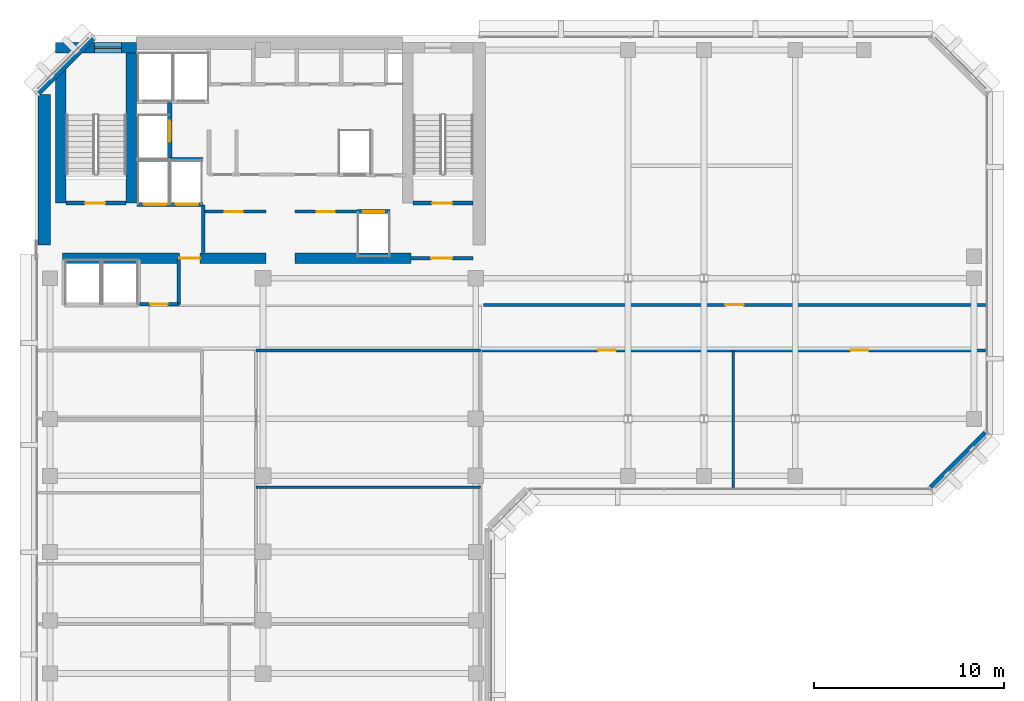
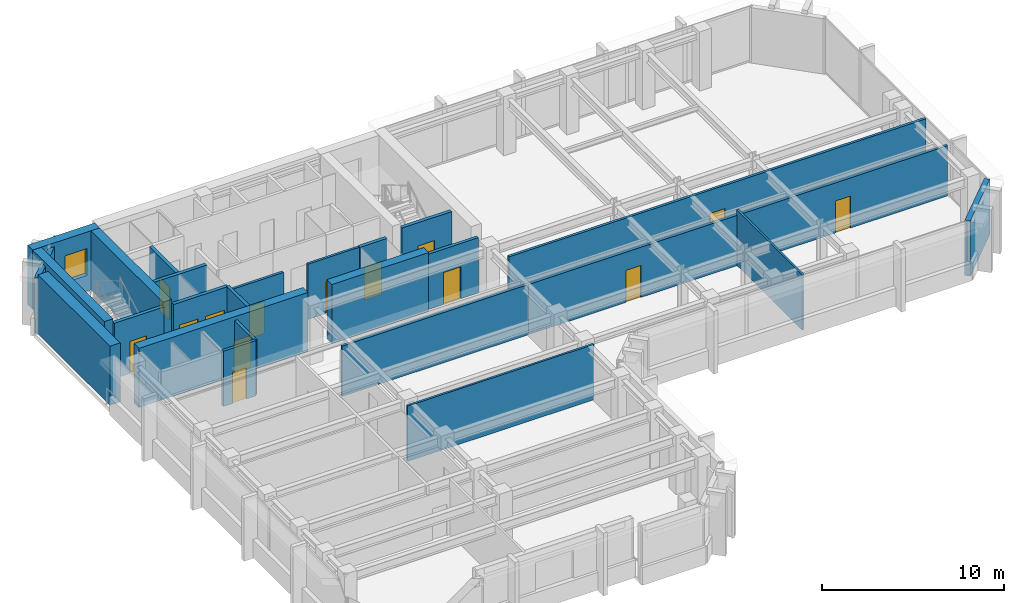
# One storey, part 7 of 12: 25 walls, 14 doors, 1 window, 15 openings.
"""IFC4 building model written with IfcOpenShell, lengths in metres."""

from ifc_helpers import new_model, si_unit, direction, frame, frame_2d, origin, place, context, subcontext, project, spatial, rectangle, extrude, material, layer, layer_set, type_object, element, fill, save


model = new_model("IFC4")

# Units and contexts
model_context = context("Model", 3, precision=1e-05, world=origin(), true_north=direction((0.0, 1.0)))
body_context = subcontext(model_context, "Body", "Model", "MODEL_VIEW")
ifc_project = project(units=[si_unit("LENGTHUNIT", "METRE"), si_unit("AREAUNIT", "SQUARE_METRE"), si_unit("VOLUMEUNIT", "CUBIC_METRE"), si_unit("PLANEANGLEUNIT", "RADIAN"), si_unit("MASSUNIT", "GRAM", prefix="KILO")], contexts=[model_context])

# Site, building, storey
site_placement = place(None, origin())
site = spatial("IfcSite", under=ifc_project, at=site_placement, CompositionType="ELEMENT")
building_placement = place(site_placement, origin())
building = spatial("IfcBuilding", under=site, at=building_placement, Name="Kefirva Bronze Tower", CompositionType="ELEMENT")
storey_placement = place(building_placement, frame((0.0, 0.0, 264.330078125)))
storey = spatial("IfcBuildingStorey", under=building, at=storey_placement, Name="L64", CompositionType="ELEMENT", Elevation=264.330078125)

# Walls
ifc_material_1 = material(Name="Gypsum acoustic partition")
ifc_layer_1 = layer(ifc_material_1, 0.1298828125, Name="Gypsum acoustic partition")
ifc_layer_set_1 = layer_set([ifc_layer_1], Name="Gypsum acoustic partition")
wall_type_1 = type_object("IfcWallType", Name="Acoustic Office Partition 130mm", PredefinedType="PARTITIONING", material=ifc_layer_set_1)
wall_1_placement = place(storey_placement, frame((11.639892578125, 22.199951171875, 0.0), z_axis=(0.0, 0.0, 1.0), x_axis=(1.0, 0.0, 0.0)))
element("IfcWall", 1, at=wall_1_placement, inside=storey, type_object=wall_type_1, Name="L64 Partition W-L64-SED1", PredefinedType="PARTITIONING", context=body_context, shape_type="SweptSolid", body=[
    extrude(rectangle(XDim=11.81005859375, YDim=0.1298828125, at=frame_2d((5.905029296875, 0.0))), origin(), (0.0, 0.0, 1.0), 3.7099609375),
])
wall_2_placement = place(storey_placement, frame((36.72998046875, 22.18994140625, 0.0), z_axis=(0.0, 0.0, 1.0), x_axis=(0.0, 1.0, 0.0)))
element("IfcWall", 2, at=wall_2_placement, inside=storey, type_object=wall_type_1, Name="L64 Partition W-L64-ESD1", PredefinedType="PARTITIONING", context=body_context, shape_type="SweptSolid", body=[
    extrude(rectangle(XDim=7.2099609375, YDim=0.1298828125, at=frame_2d((3.60498046875, 0.0))), origin(), (0.0, 0.0, 1.0), 3.7099609375),
])

# Wall, opening, door
ifc_layer_2 = layer(ifc_material_1, 0.14990234375, Name="Gypsum acoustic partition")
ifc_layer_set_2 = layer_set([ifc_layer_2], Name="Gypsum acoustic partition")
wall_type_2 = type_object("IfcWallType", Name="Executive Suite Partition 150mm", PredefinedType="PARTITIONING", material=ifc_layer_set_2)
wall_3_placement = place(storey_placement, frame((13.679931640625, 36.699951171875, 0.0), z_axis=(0.0, 0.0, 1.0), x_axis=(1.0, 0.0, 0.0)))
wall_3 = element("IfcWall", 3, at=wall_3_placement, inside=storey, type_object=wall_type_2, Name="L64 Partition W-L64-RECMP1", PredefinedType="PARTITIONING", context=body_context, shape_type="SweptSolid", body=[
    extrude(rectangle(XDim=3.280029296875, YDim=0.14990234375, at=frame_2d((1.64013671875, 0.0))), origin(), (0.0, 0.0, 1.0), 3.7099609375),
])
opening_1_placement = place(wall_3_placement, frame((1.14990234375, 0.0, 0.0)))
opening_1 = element("IfcOpeningElement", 4, at=opening_1_placement, cuts=wall_3, Name="Opening L64-D-RECMP1", PredefinedType="OPENING", context=body_context, shape_type="SweptSolid", body=[
    extrude(rectangle(XDim=0.949951171875, YDim=2.14990234375, at=frame_2d((0.47509765625, 1.074951171875))), frame((0.0, 0.0849609375, 0.0), z_axis=(0.0, -1.0, 0.0), x_axis=(1.0, 0.0, 0.0)), (0.0, 0.0, 1.0), 0.169921875),
])
ifc_material_2 = material(Name="Acoustic hardwood oak", Category="wood")
door_type_1 = type_object("IfcDoorType", Name="Office & Meeting Room Door 950x2150", OperationType="NOTDEFINED", PredefinedType="DOOR", material=ifc_material_2)
door_1_placement = place(opening_1_placement, origin())
door_1 = element("IfcDoor", 5, at=door_1_placement, inside=storey, type_object=door_type_1, Name="Door L64-D-RECMP1", OperationType="SINGLE_SWING_LEFT", OverallHeight=2.14990234375, OverallWidth=0.949951171875, PredefinedType="DOOR", context=body_context, shape_type="SweptSolid", body=[
    extrude(rectangle(XDim=0.949951171875, YDim=2.14990234375, at=frame_2d((0.47509765625, 1.074951171875))), frame((0.0, 0.02490234375, 0.0), z_axis=(0.0, -1.0, 0.0), x_axis=(1.0, 0.0, 0.0)), (0.0, 0.0, 1.0), 0.050048828125),
])
fill(opening_1, door_1)

ifc_material_3 = material(Name="Gypsum fireboard shaftwall")
ifc_layer_3 = layer(ifc_material_3, 0.219970703125, Name="Gypsum fireboard shaftwall")
ifc_layer_set_3 = layer_set([ifc_layer_3], Name="Gypsum fireboard shaftwall")
wall_type_3 = type_object("IfcWallType", Name="Fire-Rated Shaft Enclosure Wall 220mm", PredefinedType="PARTITIONING", material=ifc_layer_set_3)
wall_4_placement = place(storey_placement, frame((1.64990234375, 37.14990234375, 0.0), z_axis=(0.0, 0.0, 1.0), x_axis=(1.0, 0.0, 0.0)))
wall_4 = element("IfcWall", 6, at=wall_4_placement, inside=storey, type_object=wall_type_3, Name="L64 Partition W-L64-ST1S", PredefinedType="PARTITIONING", context=body_context, shape_type="SweptSolid", body=[
    extrude(rectangle(XDim=3.150146484375, YDim=0.219970703125, at=frame_2d((1.5751953125, 0.0))), origin(), (0.0, 0.0, 1.0), 3.7099609375),
])
opening_2_placement = place(wall_4_placement, frame((2.050048828125, 0.0, 0.0), z_axis=(0.0, 0.0, 1.0), x_axis=(-1.0, 0.0, 0.0)))
opening_2 = element("IfcOpeningElement", 7, at=opening_2_placement, cuts=wall_4, Name="Opening L64-D001", PredefinedType="OPENING", context=body_context, shape_type="SweptSolid", body=[
    extrude(rectangle(XDim=1.050048828125, YDim=2.14990234375, at=frame_2d((0.52490234375, 1.074951171875))), frame((0.0, 0.1201171875, 0.0), z_axis=(0.0, -1.0, 0.0), x_axis=(1.0, 0.0, 0.0)), (0.0, 0.0, 1.0), 0.239990234375),
])
ifc_material_4 = material(Name="Painted galvanized steel", Category="steel")
door_type_2 = type_object("IfcDoorType", Name="Fire Stair Enclosure Door 1050x2150 FD90S", OperationType="NOTDEFINED", PredefinedType="DOOR", material=ifc_material_4)
door_2_placement = place(opening_2_placement, origin())
door_2 = element("IfcDoor", 8, at=door_2_placement, inside=storey, type_object=door_type_2, Name="Door L64-D001", OperationType="SINGLE_SWING_RIGHT", OverallHeight=2.14990234375, OverallWidth=1.050048828125, PredefinedType="DOOR", context=body_context, shape_type="SweptSolid", body=[
    extrude(rectangle(XDim=1.050048828125, YDim=2.14990234375, at=frame_2d((0.52490234375, 1.074951171875))), frame((0.0, 0.02490234375, 0.0), z_axis=(0.0, -1.0, 0.0), x_axis=(1.0, 0.0, 0.0)), (0.0, 0.0, 1.0), 0.050048828125),
])
fill(opening_2, door_2)

wall_5_placement = place(storey_placement, frame((19.89990234375, 37.14990234375, 0.0), z_axis=(0.0, 0.0, 1.0), x_axis=(1.0, 0.0, 0.0)))
wall_5 = element("IfcWall", 9, at=wall_5_placement, inside=storey, type_object=wall_type_3, Name="L64 Partition W-L64-ST2S", PredefinedType="PARTITIONING", context=body_context, shape_type="SweptSolid", body=[
    extrude(rectangle(XDim=3.150146484375, YDim=0.219970703125, at=frame_2d((1.5751953125, 0.0))), origin(), (0.0, 0.0, 1.0), 3.7099609375),
])
opening_3_placement = place(wall_5_placement, frame((2.050048828125, 0.0, 0.0), z_axis=(0.0, 0.0, 1.0), x_axis=(-1.0, 0.0, 0.0)))
opening_3 = element("IfcOpeningElement", 10, at=opening_3_placement, cuts=wall_5, Name="Opening L64-D003", PredefinedType="OPENING", context=body_context, shape_type="SweptSolid", body=[
    extrude(rectangle(XDim=1.050048828125, YDim=2.14990234375, at=frame_2d((0.52490234375, 1.074951171875))), frame((0.0, 0.1201171875, 0.0), z_axis=(0.0, -1.0, 0.0), x_axis=(1.0, 0.0, 0.0)), (0.0, 0.0, 1.0), 0.239990234375),
])
door_3_placement = place(opening_3_placement, origin())
door_3 = element("IfcDoor", 11, at=door_3_placement, inside=storey, type_object=door_type_2, Name="Door L64-D003", OperationType="SINGLE_SWING_RIGHT", OverallHeight=2.14990234375, OverallWidth=1.050048828125, PredefinedType="DOOR", context=body_context, shape_type="SweptSolid", body=[
    extrude(rectangle(XDim=1.050048828125, YDim=2.14990234375, at=frame_2d((0.52490234375, 1.074951171875))), frame((0.0, 0.02490234375, 0.0), z_axis=(0.0, -1.0, 0.0), x_axis=(1.0, 0.0, 0.0)), (0.0, 0.0, 1.0), 0.050048828125),
])
fill(opening_3, door_3)

# Wall, openings, doors
wall_6_placement = place(storey_placement, frame((5.3798828125, 37.080078125, 0.0), z_axis=(0.0, 0.0, 1.0), x_axis=(1.0, 0.0, 0.0)))
wall_6 = element("IfcWall", 12, at=wall_6_placement, inside=storey, type_object=wall_type_3, Name="L64 Partition W-L64-FFS", PredefinedType="PARTITIONING", context=body_context, shape_type="SweptSolid", body=[
    extrude(rectangle(XDim=3.460205078125, YDim=0.219970703125, at=frame_2d((1.72998046875, 0.0))), origin(), (0.0, 0.0, 1.0), 3.7099609375),
])
opening_4_placement = place(wall_6_placement, frame((1.550048828125, 0.0, 0.0), z_axis=(0.0, 0.0, 1.0), x_axis=(-1.0, 0.0, 0.0)))
opening_4 = element("IfcOpeningElement", 13, at=opening_4_placement, cuts=wall_6, Name="Opening L64-LD-FF1", PredefinedType="OPENING", context=body_context, shape_type="SweptSolid", body=[
    extrude(rectangle(XDim=1.199951171875, YDim=2.199951171875, at=frame_2d((0.60009765625, 1.10009765625))), frame((0.0, 0.1201171875, 0.0), z_axis=(0.0, -1.0, 0.0), x_axis=(1.0, 0.0, 0.0)), (0.0, 0.0, 1.0), 0.239990234375),
])
opening_5_placement = place(wall_6_placement, frame((3.219970703125, 0.0, 0.0), z_axis=(0.0, 0.0, 1.0), x_axis=(-1.0, 0.0, 0.0)))
opening_5 = element("IfcOpeningElement", 14, at=opening_5_placement, cuts=wall_6, Name="Opening L64-LD-FF2", PredefinedType="OPENING", context=body_context, shape_type="SweptSolid", body=[
    extrude(rectangle(XDim=1.199951171875, YDim=2.199951171875, at=frame_2d((0.60009765625, 1.10009765625))), frame((0.0, 0.1201171875, 0.0), z_axis=(0.0, -1.0, 0.0), x_axis=(1.0, 0.0, 0.0)), (0.0, 0.0, 1.0), 0.239990234375),
])
ifc_material_5 = material(Name="Stainless steel 316", Category="steel")
door_type_3 = type_object("IfcDoorType", Name="Firefighting Lift Sliding Door 1200x2200", OperationType="SLIDING_TO_RIGHT", PredefinedType="DOOR", material=ifc_material_5)
door_4_placement = place(opening_4_placement, origin())
door_4 = element("IfcDoor", 15, at=door_4_placement, inside=storey, type_object=door_type_3, Name="Door L64-LD-FF1", OperationType="SLIDING_TO_RIGHT", OverallHeight=2.199951171875, OverallWidth=1.199951171875, PredefinedType="DOOR", context=body_context, shape_type="SweptSolid", body=[
    extrude(rectangle(XDim=1.199951171875, YDim=2.199951171875, at=frame_2d((0.60009765625, 1.10009765625))), frame((0.0, 0.02490234375, 0.0), z_axis=(0.0, -1.0, 0.0), x_axis=(1.0, 0.0, 0.0)), (0.0, 0.0, 1.0), 0.050048828125),
])
fill(opening_4, door_4)
door_5_placement = place(opening_5_placement, origin())
door_5 = element("IfcDoor", 16, at=door_5_placement, inside=storey, type_object=door_type_3, Name="Door L64-LD-FF2", OperationType="SLIDING_TO_RIGHT", OverallHeight=2.199951171875, OverallWidth=1.199951171875, PredefinedType="DOOR", context=body_context, shape_type="SweptSolid", body=[
    extrude(rectangle(XDim=1.199951171875, YDim=2.199951171875, at=frame_2d((0.60009765625, 1.10009765625))), frame((0.0, 0.02490234375, 0.0), z_axis=(0.0, -1.0, 0.0), x_axis=(1.0, 0.0, 0.0)), (0.0, 0.0, 1.0), 0.050048828125),
])
fill(opening_5, door_5)

# Wall
wall_7_placement = place(storey_placement, frame((5.3798828125, 39.449951171875, 0.0), z_axis=(0.0, 0.0, 1.0), x_axis=(1.0, 0.0, 0.0)))
element("IfcWall", 17, at=wall_7_placement, inside=storey, type_object=wall_type_3, Name="L64 Partition W-L64-FFN", PredefinedType="PARTITIONING", context=body_context, shape_type="SweptSolid", body=[
    extrude(rectangle(XDim=3.460205078125, YDim=0.219970703125, at=frame_2d((1.72998046875, 0.0))), origin(), (0.0, 0.0, 1.0), 3.7099609375),
])

# Wall, opening, door
wall_8_placement = place(storey_placement, frame((7.10009765625, 39.52001953125, 0.0), z_axis=(0.0, 0.0, 1.0), x_axis=(0.0, 1.0, 0.0)))
wall_8 = element("IfcWall", 18, at=wall_8_placement, inside=storey, type_object=wall_type_3, Name="L64 Partition W-L64-HP3E", PredefinedType="PARTITIONING", context=body_context, shape_type="SweptSolid", body=[
    extrude(rectangle(XDim=2.929931640625, YDim=0.219970703125, at=frame_2d((1.46484375, 0.0))), origin(), (0.0, 0.0, 1.0), 3.7099609375),
])
opening_6_placement = place(wall_8_placement, frame((0.85009765625, 0.0, 0.0)))
opening_6 = element("IfcOpeningElement", 19, at=opening_6_placement, cuts=wall_8, Name="Opening L64-LD-HP3", PredefinedType="OPENING", context=body_context, shape_type="SweptSolid", body=[
    extrude(rectangle(XDim=1.10009765625, YDim=2.199951171875, at=frame_2d((0.550048828125, 1.10009765625))), frame((0.0, 0.1201171875, 0.0), z_axis=(0.0, -1.0, 0.0), x_axis=(1.0, 0.0, 0.0)), (0.0, 0.0, 1.0), 0.239990234375),
])
door_type_4 = type_object("IfcDoorType", Name="Passenger Lift Sliding Landing Door 1100x2200", OperationType="SLIDING_TO_LEFT", PredefinedType="DOOR", material=ifc_material_5)
door_6_placement = place(opening_6_placement, origin())
door_6 = element("IfcDoor", 20, at=door_6_placement, inside=storey, type_object=door_type_4, Name="Door L64-LD-HP3", OperationType="SLIDING_TO_LEFT", OverallHeight=2.199951171875, OverallWidth=1.10009765625, PredefinedType="DOOR", context=body_context, shape_type="SweptSolid", body=[
    extrude(rectangle(XDim=1.10009765625, YDim=2.199951171875, at=frame_2d((0.550048828125, 1.10009765625))), frame((0.0, 0.02490234375, 0.0), z_axis=(0.0, -1.0, 0.0), x_axis=(1.0, 0.0, 0.0)), (0.0, 0.0, 1.0), 0.050048828125),
])
fill(opening_6, door_6)

wall_9_placement = place(storey_placement, frame((16.97998046875, 36.699951171875, 0.0), z_axis=(0.0, 0.0, 1.0), x_axis=(1.0, 0.0, 0.0)))
wall_9 = element("IfcWall", 21, at=wall_9_placement, inside=storey, type_object=wall_type_3, Name="L64 Partition W-L64-HPS", PredefinedType="PARTITIONING", context=body_context, shape_type="SweptSolid", body=[
    extrude(rectangle(XDim=1.699951171875, YDim=0.219970703125, at=frame_2d((0.85009765625, 0.0))), origin(), (0.0, 0.0, 1.0), 3.7099609375),
])
opening_7_placement = place(wall_9_placement, frame((0.300048828125, 0.0, 0.0)))
opening_7 = element("IfcOpeningElement", 22, at=opening_7_placement, cuts=wall_9, Name="Opening L64-LD-HP1", PredefinedType="OPENING", context=body_context, shape_type="SweptSolid", body=[
    extrude(rectangle(XDim=1.10009765625, YDim=2.199951171875, at=frame_2d((0.550048828125, 1.10009765625))), frame((0.0, 0.1201171875, 0.0), z_axis=(0.0, -1.0, 0.0), x_axis=(1.0, 0.0, 0.0)), (0.0, 0.0, 1.0), 0.239990234375),
])
door_7_placement = place(opening_7_placement, origin())
door_7 = element("IfcDoor", 23, at=door_7_placement, inside=storey, type_object=door_type_4, Name="Door L64-LD-HP1", OperationType="SLIDING_TO_LEFT", OverallHeight=2.199951171875, OverallWidth=1.10009765625, PredefinedType="DOOR", context=body_context, shape_type="SweptSolid", body=[
    extrude(rectangle(XDim=1.10009765625, YDim=2.199951171875, at=frame_2d((0.550048828125, 1.10009765625))), frame((0.0, 0.02490234375, 0.0), z_axis=(0.0, -1.0, 0.0), x_axis=(1.0, 0.0, 0.0)), (0.0, 0.0, 1.0), 0.050048828125),
])
fill(opening_7, door_7)

# Wall
ifc_material_6 = material(Name="Gypsum fireboard barrier")
ifc_layer_4 = layer(ifc_material_6, 0.199951171875, Name="Gypsum fireboard barrier")
ifc_layer_set_4 = layer_set([ifc_layer_4], Name="Gypsum fireboard barrier")
wall_type_4 = type_object("IfcWallType", Name="Firefighting Lobby Barrier Wall 200mm", PredefinedType="PARTITIONING", material=ifc_layer_set_4)
wall_10_placement = place(storey_placement, frame((8.860107421875, 34.550048828125, 0.0), z_axis=(0.0, 0.0, 1.0), x_axis=(0.0, 1.0, 0.0)))
element("IfcWall", 24, at=wall_10_placement, inside=storey, type_object=wall_type_4, Name="L64 Partition W-L64-FFLE", PredefinedType="PARTITIONING", context=body_context, shape_type="SweptSolid", body=[
    extrude(rectangle(XDim=2.5, YDim=0.199951171875, at=frame_2d((1.25, 0.0))), origin(), (0.0, 0.0, 1.0), 3.7099609375),
])

# Wall, opening, door
wall_11_placement = place(storey_placement, frame((19.800048828125, 34.25, 0.0), z_axis=(0.0, 0.0, 1.0), x_axis=(1.0, 0.0, 0.0)))
wall_11 = element("IfcWall", 25, at=wall_11_placement, inside=storey, type_object=wall_type_4, Name="L64 Partition W-L64-ST2F", PredefinedType="PARTITIONING", context=body_context, shape_type="SweptSolid", body=[
    extrude(rectangle(XDim=3.25, YDim=0.199951171875, at=frame_2d((1.625, 0.0))), origin(), (0.0, 0.0, 1.0), 3.7099609375),
])
opening_8_placement = place(wall_11_placement, frame((2.150146484375, 0.0, 0.0), z_axis=(0.0, 0.0, 1.0), x_axis=(-1.0, 0.0, 0.0)))
opening_8 = element("IfcOpeningElement", 26, at=opening_8_placement, cuts=wall_11, Name="Opening L64-D004", PredefinedType="OPENING", context=body_context, shape_type="SweptSolid", body=[
    extrude(rectangle(XDim=1.10009765625, YDim=2.14990234375, at=frame_2d((0.550048828125, 1.074951171875))), frame((0.0, 0.10986328125, 0.0), z_axis=(0.0, -1.0, 0.0), x_axis=(1.0, 0.0, 0.0)), (0.0, 0.0, 1.0), 0.219970703125),
])
door_type_5 = type_object("IfcDoorType", Name="Firefighting Lobby Smoke Door 1100x2150 FD60S", OperationType="NOTDEFINED", PredefinedType="DOOR", material=ifc_material_4)
door_8_placement = place(opening_8_placement, origin())
door_8 = element("IfcDoor", 27, at=door_8_placement, inside=storey, type_object=door_type_5, Name="Door L64-D004", OperationType="SINGLE_SWING_LEFT", OverallHeight=2.14990234375, OverallWidth=1.10009765625, PredefinedType="DOOR", context=body_context, shape_type="SweptSolid", body=[
    extrude(rectangle(XDim=1.10009765625, YDim=2.14990234375, at=frame_2d((0.550048828125, 1.074951171875))), frame((0.0, 0.02490234375, 0.0), z_axis=(0.0, -1.0, 0.0), x_axis=(1.0, 0.0, 0.0)), (0.0, 0.0, 1.0), 0.050048828125),
])
fill(opening_8, door_8)

# Walls
ifc_material_7 = material(Name="Precast concrete C40/50", Category="concrete")
ifc_layer_5 = layer(ifc_material_7, 0.320068359375, Name="Precast concrete C40/50")
ifc_layer_set_5 = layer_set([ifc_layer_5], Name="Precast concrete C40/50")
wall_type_5 = type_object("IfcWallType", Name="Precast Insulated Exterior Wall 320mm", PredefinedType="SOLIDWALL", material=ifc_layer_set_5)
for number, where, z_axis, x_axis, name in (
    (28, (47.125732421875, 22.152099609375, 0.0), (0.0, 0.0, 1.0), (0.707136318428, 0.707077242712, 0.0), "L64 Exterior Facade Wall 7"),
    (29, (3.07421875, 45.847900390625, 0.0), (0.0, 0.0, 1.0), (-0.707106781187, -0.707106781187, 0.0), "L64 Exterior Facade Wall 9"),
):
    element("IfcWall", number, at=place(storey_placement, frame(where, z_axis=z_axis, x_axis=x_axis)), inside=storey, type_object=wall_type_5, Name=name, PredefinedType="SOLIDWALL", context=body_context, shape_type="SweptSolid", body=[
        extrude(rectangle(XDim=4.132568359375, YDim=0.320068359375, at=frame_2d((2.06640625, 0.0))), origin(), (0.0, 0.0, 1.0), 3.7099609375),
    ])

# Wall, opening, door
ifc_layer_6 = layer(ifc_material_1, 0.159912109375, Name="Gypsum acoustic partition")
ifc_layer_set_6 = layer_set([ifc_layer_6], Name="Gypsum acoustic partition")
wall_type_6 = type_object("IfcWallType", Name="Protected Corridor Partition 160mm", PredefinedType="PARTITIONING", material=ifc_layer_set_6)
wall_12_placement = place(storey_placement, frame((8.89990234375, 36.699951171875, 0.0), z_axis=(0.0, 0.0, 1.0), x_axis=(1.0, 0.0, 0.0)))
wall_12 = element("IfcWall", 30, at=wall_12_placement, inside=storey, type_object=wall_type_6, Name="L64 Partition W-L64-RECLP1", PredefinedType="PARTITIONING", context=body_context, shape_type="SweptSolid", body=[
    extrude(rectangle(XDim=3.25, YDim=0.159912109375, at=frame_2d((1.625, 0.0))), origin(), (0.0, 0.0, 1.0), 3.7099609375),
])
opening_9_placement = place(wall_12_placement, frame((1.10009765625, 0.0, 0.0)))
opening_9 = element("IfcOpeningElement", 31, at=opening_9_placement, cuts=wall_12, Name="Opening L64-D-RECLP1", PredefinedType="OPENING", context=body_context, shape_type="SweptSolid", body=[
    extrude(rectangle(XDim=0.949951171875, YDim=2.14990234375, at=frame_2d((0.47509765625, 1.074951171875))), frame((0.0, 0.08984375, 0.0), z_axis=(0.0, -1.0, 0.0), x_axis=(1.0, 0.0, 0.0)), (0.0, 0.0, 1.0), 0.179931640625),
])
door_9_placement = place(opening_9_placement, origin())
door_9 = element("IfcDoor", 32, at=door_9_placement, inside=storey, type_object=door_type_1, Name="Door L64-D-RECLP1", OperationType="SINGLE_SWING_RIGHT", OverallHeight=2.14990234375, OverallWidth=0.949951171875, PredefinedType="DOOR", context=body_context, shape_type="SweptSolid", body=[
    extrude(rectangle(XDim=0.949951171875, YDim=2.14990234375, at=frame_2d((0.47509765625, 1.074951171875))), frame((0.0, 0.02490234375, 0.0), z_axis=(0.0, -1.0, 0.0), x_axis=(1.0, 0.0, 0.0)), (0.0, 0.0, 1.0), 0.050048828125),
])
fill(opening_9, door_9)

# Wall
wall_13_placement = place(storey_placement, frame((11.639892578125, 29.39990234375, 0.0), z_axis=(0.0, 0.0, 1.0), x_axis=(1.0, 0.0, 0.0)))
element("IfcWall", 33, at=wall_13_placement, inside=storey, type_object=wall_type_6, Name="L64 Partition W-L64-NET", PredefinedType="PARTITIONING", context=body_context, shape_type="SweptSolid", body=[
    extrude(rectangle(XDim=11.81005859375, YDim=0.159912109375, at=frame_2d((5.905029296875, 0.0))), origin(), (0.0, 0.0, 1.0), 3.364990234375),
])

# Wall, openings, doors
wall_14_placement = place(storey_placement, frame((23.449951171875, 29.39990234375, 0.0), z_axis=(0.0, 0.0, 1.0), x_axis=(1.0, 0.0, 0.0)))
wall_14 = element("IfcWall", 34, at=wall_14_placement, inside=storey, type_object=wall_type_6, Name="L64 Partition W-L64-EWS", PredefinedType="PARTITIONING", context=body_context, shape_type="SweptSolid", body=[
    extrude(rectangle(XDim=26.56005859375, YDim=0.159912109375, at=frame_2d((13.280029296875, 0.0))), origin(), (0.0, 0.0, 1.0), 3.364990234375),
])
opening_10_placement = place(wall_14_placement, frame((7.114990234375, 0.0, 0.0), z_axis=(0.0, 0.0, 1.0), x_axis=(-1.0, 0.0, 0.0)))
opening_10 = element("IfcOpeningElement", 35, at=opening_10_placement, cuts=wall_14, Name="Opening L64-D-ES1", PredefinedType="OPENING", context=body_context, shape_type="SweptSolid", body=[
    extrude(rectangle(XDim=0.949951171875, YDim=2.14990234375, at=frame_2d((0.47509765625, 1.074951171875))), frame((0.0, 0.08984375, 0.0), z_axis=(0.0, -1.0, 0.0), x_axis=(1.0, 0.0, 0.0)), (0.0, 0.0, 1.0), 0.179931640625),
])
opening_11_placement = place(wall_14_placement, frame((20.39501953125, 0.0, 0.0), z_axis=(0.0, 0.0, 1.0), x_axis=(-1.0, 0.0, 0.0)))
opening_11 = element("IfcOpeningElement", 36, at=opening_11_placement, cuts=wall_14, Name="Opening L64-D-ES2", PredefinedType="OPENING", context=body_context, shape_type="SweptSolid", body=[
    extrude(rectangle(XDim=0.949951171875, YDim=2.14990234375, at=frame_2d((0.47509765625, 1.074951171875))), frame((0.0, 0.08984375, 0.0), z_axis=(0.0, -1.0, 0.0), x_axis=(1.0, 0.0, 0.0)), (0.0, 0.0, 1.0), 0.179931640625),
])
door_10_placement = place(opening_10_placement, origin())
door_10 = element("IfcDoor", 37, at=door_10_placement, inside=storey, type_object=door_type_1, Name="Door L64-D-ES1", OperationType="SINGLE_SWING_LEFT", OverallHeight=2.14990234375, OverallWidth=0.949951171875, PredefinedType="DOOR", context=body_context, shape_type="SweptSolid", body=[
    extrude(rectangle(XDim=0.949951171875, YDim=2.14990234375, at=frame_2d((0.47509765625, 1.074951171875))), frame((0.0, 0.02490234375, 0.0), z_axis=(0.0, -1.0, 0.0), x_axis=(1.0, 0.0, 0.0)), (0.0, 0.0, 1.0), 0.050048828125),
])
fill(opening_10, door_10)
door_11_placement = place(opening_11_placement, origin())
door_11 = element("IfcDoor", 38, at=door_11_placement, inside=storey, type_object=door_type_1, Name="Door L64-D-ES2", OperationType="SINGLE_SWING_RIGHT", OverallHeight=2.14990234375, OverallWidth=0.949951171875, PredefinedType="DOOR", context=body_context, shape_type="SweptSolid", body=[
    extrude(rectangle(XDim=0.949951171875, YDim=2.14990234375, at=frame_2d((0.47509765625, 1.074951171875))), frame((0.0, 0.02490234375, 0.0), z_axis=(0.0, -1.0, 0.0), x_axis=(1.0, 0.0, 0.0)), (0.0, 0.0, 1.0), 0.050048828125),
])
fill(opening_11, door_11)

# Wall, opening, door
wall_15_placement = place(storey_placement, frame((23.60009765625, 31.800048828125, 0.0), z_axis=(0.0, 0.0, 1.0), x_axis=(1.0, 0.0, 0.0)))
wall_15 = element("IfcWall", 39, at=wall_15_placement, inside=storey, type_object=wall_type_6, Name="L64 Partition W-L64-EWN", PredefinedType="PARTITIONING", context=body_context, shape_type="SweptSolid", body=[
    extrude(rectangle(XDim=26.409912109375, YDim=0.159912109375, at=frame_2d((13.205078125, 0.0))), origin(), (0.0, 0.0, 1.0), 3.7099609375),
])
opening_12_placement = place(wall_15_placement, frame((12.72998046875, 0.0, 0.0)))
opening_12 = element("IfcOpeningElement", 40, at=opening_12_placement, cuts=wall_15, Name="Opening L64-D-EN1", PredefinedType="OPENING", context=body_context, shape_type="SweptSolid", body=[
    extrude(rectangle(XDim=0.949951171875, YDim=2.14990234375, at=frame_2d((0.47509765625, 1.074951171875))), frame((0.0, 0.08984375, 0.0), z_axis=(0.0, -1.0, 0.0), x_axis=(1.0, 0.0, 0.0)), (0.0, 0.0, 1.0), 0.179931640625),
])
door_12_placement = place(opening_12_placement, origin())
door_12 = element("IfcDoor", 41, at=door_12_placement, inside=storey, type_object=door_type_1, Name="Door L64-D-EN1", OperationType="SINGLE_SWING_LEFT", OverallHeight=2.14990234375, OverallWidth=0.949951171875, PredefinedType="DOOR", context=body_context, shape_type="SweptSolid", body=[
    extrude(rectangle(XDim=0.949951171875, YDim=2.14990234375, at=frame_2d((0.47509765625, 1.074951171875))), frame((0.0, 0.02490234375, 0.0), z_axis=(0.0, -1.0, 0.0), x_axis=(1.0, 0.0, 0.0)), (0.0, 0.0, 1.0), 0.050048828125),
])
fill(opening_12, door_12)

# Wall, opening, window
ifc_material_8 = material(Name="Concrete C50/60", Category="concrete")
ifc_layer_7 = layer(ifc_material_8, 0.550048828125, Name="Concrete C50/60")
ifc_layer_set_7 = layer_set([ifc_layer_7], Name="Concrete C50/60")
wall_type_7 = type_object("IfcWallType", Name="RC Rear Core Exterior Wall 550mm", PredefinedType="SHEAR", material=ifc_layer_set_7)
wall_16_placement = place(storey_placement, frame((1.10009765625, 45.320068359375, 0.0), z_axis=(0.0, 0.0, 1.0), x_axis=(1.0, 0.0, 0.0)))
wall_16 = element("IfcWall", 42, at=wall_16_placement, inside=storey, type_object=wall_type_7, Name="L64 Stair 1 North Shear Wall", PredefinedType="SHEAR", context=body_context, shape_type="SweptSolid", body=[
    extrude(rectangle(XDim=4.239990234375, YDim=0.550048828125, at=frame_2d((2.1201171875, 0.0))), origin(), (0.0, 0.0, 1.0), 3.9599609375),
])
opening_13_placement = place(wall_16_placement, frame((2.050048828125, 0.0, 1.050048828125)))
opening_13 = element("IfcOpeningElement", 43, at=opening_13_placement, cuts=wall_16, Name="Opening WN-03", PredefinedType="OPENING", context=body_context, shape_type="SweptSolid", body=[
    extrude(rectangle(XDim=1.39990234375, YDim=1.800048828125, at=frame_2d((0.699951171875, 0.89990234375))), frame((0.0, 0.28515625, 0.0), z_axis=(0.0, -1.0, 0.0), x_axis=(1.0, 0.0, 0.0)), (0.0, 0.0, 1.0), 0.570068359375),
])
ifc_material_9 = material(Name="Laminated low-E double glazing", Category="glass")
window_type = type_object("IfcWindowType", Name="Rear-Core Stair Daylight Window 1400x1800", PartitioningType="SINGLE_PANEL", PredefinedType="WINDOW", material=ifc_material_9)
window_placement = place(opening_13_placement, origin())
window = element("IfcWindow", 44, at=window_placement, inside=storey, type_object=window_type, Name="L64 Stair 1 Daylight Window", OverallHeight=1.800048828125, OverallWidth=1.39990234375, PartitioningType="SINGLE_PANEL", PredefinedType="WINDOW", context=body_context, shape_type="SweptSolid", body=[
    extrude(rectangle(XDim=1.39990234375, YDim=1.800048828125, at=frame_2d((0.699951171875, 0.89990234375))), frame((0.0, 0.030029296875, 0.0), z_axis=(0.0, -1.0, 0.0), x_axis=(1.0, 0.0, 0.0)), (0.0, 0.0, 1.0), 0.06005859375),
])
fill(opening_13, window)

# Walls
ifc_layer_8 = layer(ifc_material_8, 0.64990234375, Name="Concrete C50/60")
ifc_layer_set_8 = layer_set([ifc_layer_8], Name="Concrete C50/60")
wall_type_8 = type_object("IfcWallType", Name="RC Rear Core Exterior Wall 650mm", PredefinedType="SHEAR", material=ifc_layer_set_8)
wall_17_placement = place(storey_placement, frame((0.5, 34.949951171875, 0.0), z_axis=(0.0, 0.0, 1.0), x_axis=(0.0, 1.0, 0.0)))
element("IfcWall", 45, at=wall_17_placement, inside=storey, type_object=wall_type_8, Name="L64 Rear Core West Shear Wall", PredefinedType="SHEAR", context=body_context, shape_type="SweptSolid", body=[
    extrude(rectangle(XDim=7.900146484375, YDim=0.64990234375, at=frame_2d((3.9501953125, 0.0))), origin(), (0.0, 0.0, 1.0), 3.9599609375),
])
ifc_layer_9 = layer(ifc_material_8, 0.550048828125, Name="Concrete C50/60")
ifc_layer_set_9 = layer_set([ifc_layer_9], Name="Concrete C50/60")
wall_type_9 = type_object("IfcWallType", Name="RC Rear Core Interior Wall 550mm", PredefinedType="SHEAR", material=ifc_layer_set_9)
for number, where, z_axis, x_axis, name in (
    (46, (1.3701171875, 37.14990234375, 0.0), (0.0, 0.0, 1.0), (0.0, 1.0, 0.0), "L64 Stair 1 West Shear Wall"),
    (47, (5.070068359375, 37.14990234375, 0.0), (0.0, 0.0, 1.0), (0.0, 1.0, 0.0), "L64 Stair 1 East Shear Wall"),
):
    element("IfcWall", number, at=place(storey_placement, frame(where, z_axis=z_axis, x_axis=x_axis)), inside=storey, type_object=wall_type_9, Name=name, PredefinedType="SHEAR", context=body_context, shape_type="SweptSolid", body=[
        extrude(rectangle(XDim=7.89013671875, YDim=0.550048828125, at=frame_2d((3.945068359375, 0.0))), origin(), (0.0, 0.0, 1.0), 3.9599609375),
    ])

# Wall, opening, door
ifc_layer_10 = layer(ifc_material_8, 0.64990234375, Name="Concrete C50/60")
ifc_layer_set_10 = layer_set([ifc_layer_10], Name="Concrete C50/60")
wall_type_10 = type_object("IfcWallType", Name="RC Rear Core Interior Wall 650mm", PredefinedType="SHEAR", material=ifc_layer_set_10)
wall_18_placement = place(storey_placement, frame((1.449951171875, 34.25, 0.0), z_axis=(0.0, 0.0, 1.0), x_axis=(1.0, 0.0, 0.0)))
wall_18 = element("IfcWall", 48, at=wall_18_placement, inside=storey, type_object=wall_type_10, Name="L64 Rear Core South-West Shear Wall", PredefinedType="SHEAR", context=body_context, shape_type="SweptSolid", body=[
    extrude(rectangle(XDim=10.7099609375, YDim=0.550048828125, at=frame_2d((5.35498046875, 0.0))), origin(), (0.0, 0.0, 1.0), 3.9599609375),
])
opening_14_placement = place(wall_18_placement, frame((7.25, 0.0, 0.0), z_axis=(0.0, 0.0, 1.0), x_axis=(-1.0, 0.0, 0.0)))
opening_14 = element("IfcOpeningElement", 49, at=opening_14_placement, cuts=wall_18, Name="Opening L64-D002", PredefinedType="OPENING", context=body_context, shape_type="SweptSolid", body=[
    extrude(rectangle(XDim=1.10009765625, YDim=2.14990234375, at=frame_2d((0.550048828125, 1.074951171875))), frame((0.0, 0.28515625, 0.0), z_axis=(0.0, -1.0, 0.0), x_axis=(1.0, 0.0, 0.0)), (0.0, 0.0, 1.0), 0.570068359375),
])
door_13_placement = place(opening_14_placement, origin())
door_13 = element("IfcDoor", 50, at=door_13_placement, inside=storey, type_object=door_type_5, Name="Door L64-D002", OperationType="SINGLE_SWING_LEFT", OverallHeight=2.14990234375, OverallWidth=1.10009765625, PredefinedType="DOOR", context=body_context, shape_type="SweptSolid", body=[
    extrude(rectangle(XDim=1.10009765625, YDim=2.14990234375, at=frame_2d((0.550048828125, 1.074951171875))), frame((0.0, 0.02490234375, 0.0), z_axis=(0.0, -1.0, 0.0), x_axis=(1.0, 0.0, 0.0)), (0.0, 0.0, 1.0), 0.050048828125),
])
fill(opening_14, door_13)

# Wall
wall_19_placement = place(storey_placement, frame((13.679931640625, 34.25, 0.0), z_axis=(0.0, 0.0, 1.0), x_axis=(1.0, 0.0, 0.0)))
element("IfcWall", 51, at=wall_19_placement, inside=storey, type_object=wall_type_10, Name="L64 Rear Core South-East Shear Wall", PredefinedType="SHEAR", context=body_context, shape_type="SweptSolid", body=[
    extrude(rectangle(XDim=6.1201171875, YDim=0.550048828125, at=frame_2d((3.06005859375, 0.0))), origin(), (0.0, 0.0, 1.0), 3.9599609375),
])

# Wall, opening, door
ifc_material_10 = material(Name="Moisture-resistant partition")
ifc_layer_11 = layer(ifc_material_10, 0.179931640625, Name="Moisture-resistant partition")
ifc_layer_set_11 = layer_set([ifc_layer_11], Name="Moisture-resistant partition")
wall_type_11 = type_object("IfcWallType", Name="Sanitary Plumbing Chase Wall 180mm", PredefinedType="PLUMBINGWALL", material=ifc_layer_set_11)
wall_20_placement = place(storey_placement, frame((5.5, 31.820068359375, 0.0), z_axis=(0.0, 0.0, 1.0), x_axis=(1.0, 0.0, 0.0)))
wall_20 = element("IfcWall", 52, at=wall_20_placement, inside=storey, type_object=wall_type_11, Name="L64 Partition W-L64-TCS", PredefinedType="PLUMBINGWALL", context=body_context, shape_type="SweptSolid", body=[
    extrude(rectangle(XDim=2.080078125, YDim=0.179931640625, at=frame_2d((1.0400390625, 0.0))), origin(), (0.0, 0.0, 1.0), 3.7099609375),
])
opening_15_placement = place(wall_20_placement, frame((1.47998046875, 0.0, 0.0), z_axis=(0.0, 0.0, 1.0), x_axis=(-1.0, 0.0, 0.0)))
opening_15 = element("IfcOpeningElement", 53, at=opening_15_placement, cuts=wall_20, Name="Opening L64-D-TCL1", PredefinedType="OPENING", context=body_context, shape_type="SweptSolid", body=[
    extrude(rectangle(XDim=0.89990234375, YDim=2.10009765625, at=frame_2d((0.449951171875, 1.050048828125))), frame((0.0, 0.10009765625, 0.0), z_axis=(0.0, -1.0, 0.0), x_axis=(1.0, 0.0, 0.0)), (0.0, 0.0, 1.0), 0.199951171875),
])
door_type_6 = type_object("IfcDoorType", Name="Telecom & Meter Fire Door 900x2100 FD60S", OperationType="NOTDEFINED", PredefinedType="DOOR", material=ifc_material_4)
door_14_placement = place(opening_15_placement, origin())
door_14 = element("IfcDoor", 54, at=door_14_placement, inside=storey, type_object=door_type_6, Name="Door L64-D-TCL1", OperationType="SINGLE_SWING_LEFT", OverallHeight=2.10009765625, OverallWidth=0.89990234375, PredefinedType="DOOR", context=body_context, shape_type="SweptSolid", body=[
    extrude(rectangle(XDim=0.89990234375, YDim=2.10009765625, at=frame_2d((0.449951171875, 1.050048828125))), frame((0.0, 0.02490234375, 0.0), z_axis=(0.0, -1.0, 0.0), x_axis=(1.0, 0.0, 0.0)), (0.0, 0.0, 1.0), 0.050048828125),
])
fill(opening_15, door_14)

# Wall
wall_21_placement = place(storey_placement, frame((7.580078125, 31.820068359375, 0.0), z_axis=(0.0, 0.0, 1.0), x_axis=(0.0, 1.0, 0.0)))
element("IfcWall", 55, at=wall_21_placement, inside=storey, type_object=wall_type_11, Name="L64 Partition W-L64-TCE", PredefinedType="PLUMBINGWALL", context=body_context, shape_type="SweptSolid", body=[
    extrude(rectangle(XDim=2.35986328125, YDim=0.179931640625, at=frame_2d((1.179931640625, 0.0))), origin(), (0.0, 0.0, 1.0), 3.7099609375),
])

save(model, "model.ifc")
